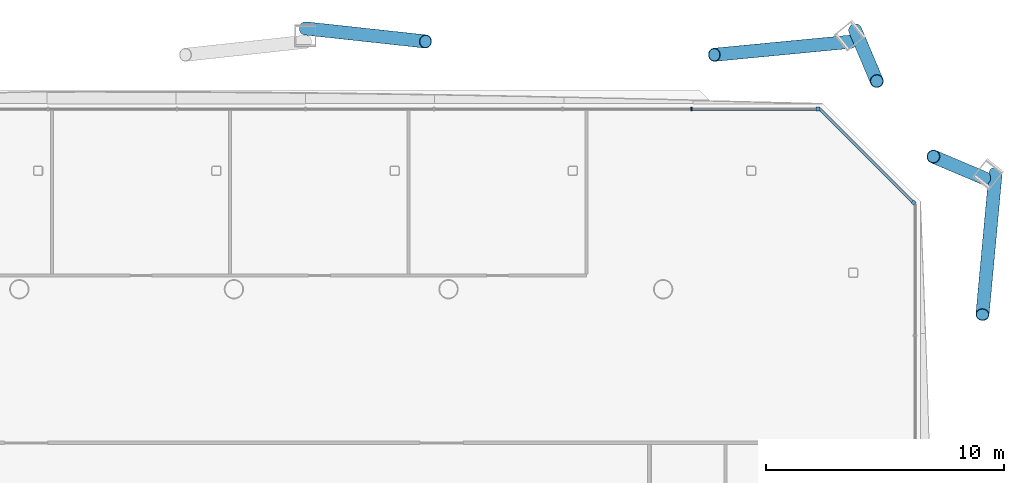
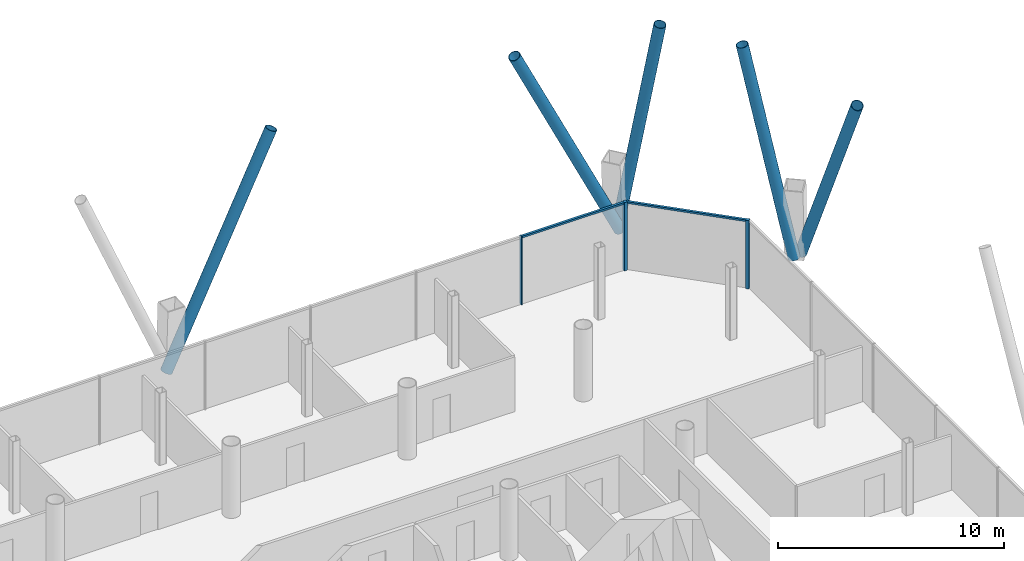
# One storey, part 11 of 23: 10 members, 2 elements without a shape of their own.
"""IFC4 building model written with IfcOpenShell, lengths in metres."""

from ifc_helpers import new_model, si_unit, direction, frame, origin, origin_2d, place, context, subcontext, project, spatial, rectangle, hollow_circle, extrude, material, material_profile, profile_set, type_object, element, aggregate, save


model = new_model("IFC4")

# Units and contexts
model_context = context("Model", 3, precision=1e-05, world=origin(), true_north=direction((0.0, 1.0)))
body_context = subcontext(model_context, "Body", "Model", "MODEL_VIEW")
ifc_project = project(units=[si_unit("LENGTHUNIT", "METRE"), si_unit("AREAUNIT", "SQUARE_METRE"), si_unit("VOLUMEUNIT", "CUBIC_METRE"), si_unit("PLANEANGLEUNIT", "RADIAN"), si_unit("MASSUNIT", "GRAM", prefix="KILO")], contexts=[model_context])

# Site, building, storey
site_placement = place(None, origin())
site = spatial("IfcSite", under=ifc_project, at=site_placement, CompositionType="ELEMENT")
building_placement = place(site_placement, origin())
building = spatial("IfcBuilding", under=site, at=building_placement, Name="Tskaro Facet Tower", CompositionType="ELEMENT")
storey_placement = place(building_placement, frame((0.0, 0.0, 62.10009765625)))
storey = spatial("IfcBuildingStorey", under=building, at=storey_placement, Name="L14", CompositionType="ELEMENT", Elevation=62.10009765625)

# Members
ifc_material_1 = material(Name="Steel S355J2H", Category="steel")
ifc_material_profile_1 = material_profile(ifc_material_1, hollow_circle(Radius=0.279541015625, WallThickness=0.02490234375, at=origin_2d()), Name="CHS 559x25")
ifc_profile_set_1 = profile_set([ifc_material_profile_1], Name="Steel S355J2H")
member_type_1 = type_object("IfcMemberType", Name="CHS 559x25 brace", PredefinedType="BRACE", material=ifc_profile_set_1)
member_1_placement = place(storey_placement, frame((31.9384765625, 22.85888671875, 0.0), z_axis=(-0.041757808458, -0.451319137832, 0.891385057794), x_axis=(0.995746950943, -0.092130395024, 0.0)))
element("IfcMember", 1, at=member_1_placement, inside=storey, type_object=member_type_1, Name="CHS 559x25 XB05B/2", PredefinedType="BRACE", context=body_context, shape_type="SweptSolid", body=[
    extrude(hollow_circle(Radius=0.279541015625, WallThickness=0.02490234375, at=origin_2d()), origin(), (0.0, 0.0, 1.0), 13.12548828125),
])
for number, where, z_axis, x_axis, name in (
    (2, (31.46142578125, 22.661376953125, 0.0), (-0.178565725619, 0.075639155813, 0.981016309621), (-0.390042854947, -0.920796704656, 0.0), "CHS 559x25 XB06A/2"),
    (3, (26.056640625, 28.856689453125, 0.0), (0.075639155813, -0.178565725619, 0.981016309621), (0.920796704656, 0.390042854947, 0.0), "CHS 559x25 XB06B/2"),
):
    element("IfcMember", number, at=place(storey_placement, frame(where, z_axis=z_axis, x_axis=x_axis)), inside=storey, type_object=member_type_1, Name=name, PredefinedType="BRACE", context=body_context, shape_type="SweptSolid", body=[
        extrude(hollow_circle(Radius=0.279541015625, WallThickness=0.02490234375, at=origin_2d()), origin(), (0.0, 0.0, 1.0), 11.92626953125),
    ])
member_2_placement = place(storey_placement, frame((25.85888671875, 28.37939453125, 0.0), z_axis=(-0.438488892117, -0.042037385137, 0.897752944713), x_axis=(0.095431214761, -0.995436026698, 0.0)))
element("IfcMember", 4, at=member_2_placement, inside=storey, type_object=member_type_1, Name="CHS 559x25 XB07A/2", PredefinedType="BRACE", context=body_context, shape_type="SweptSolid", body=[
    extrude(hollow_circle(Radius=0.279541015625, WallThickness=0.02490234375, at=origin_2d()), origin(), (0.0, 0.0, 1.0), 13.032470703125),
])
member_3_placement = place(storey_placement, frame((3.0, 28.9384765625, 0.0), z_axis=(0.394939039731, -0.042990600475, 0.917700911609), x_axis=(0.108214526009, 0.994127565436, 0.0)))
element("IfcMember", 5, at=member_3_placement, inside=storey, type_object=member_type_1, Name="CHS 559x25 XB07B/2", PredefinedType="BRACE", context=body_context, shape_type="SweptSolid", body=[
    extrude(hollow_circle(Radius=0.279541015625, WallThickness=0.02490234375, at=origin_2d()), origin(), (0.0, 0.0, 1.0), 12.749267578125),
])

# Curtain wall, member
ifc_material_2 = material(Name="Bronze anodised aluminium 6063-T6", Category="aluminium")
curtain_wall_type = type_object("IfcCurtainWallType", Name="Bronze office curtain wall (FW1)", PredefinedType="NOTDEFINED", material=ifc_material_2)
curtain_wall_1_placement = place(storey_placement, origin())
curtain_wall_1 = element("IfcCurtainWall", 6, at=curtain_wall_1_placement, inside=storey, type_object=curtain_wall_type, Name="FW1 north-east facet L14", PredefinedType="NOTDEFINED")
ifc_material_profile_2 = material_profile(ifc_material_2, rectangle(XDim=0.159912109375, YDim=0.159912109375, at=origin_2d()), Name="Corner post 160x160")
ifc_profile_set_2 = profile_set([ifc_material_profile_2], Name="Bronze anodised aluminium 6063-T6")
member_type_2 = type_object("IfcMemberType", Name="FW1 bronze corner post 160x160", PredefinedType="MULLION", material=ifc_profile_set_2)
member_4_placement = place(storey_placement, frame((28.50244140625, 21.630615234375, 0.0), z_axis=(0.0, 0.0, 1.0), x_axis=(-0.707106781187, 0.707106781187, 0.0)))
member_4 = element("IfcMember", 7, at=member_4_placement, type_object=member_type_2, Name="FW1 north-east corner post", PredefinedType="MULLION", context=body_context, shape_type="SweptSolid", body=[
    extrude(rectangle(XDim=0.159912109375, YDim=0.159912109375, at=origin_2d()), origin(), (0.0, 0.0, 1.0), 3.699951171875),
])

# Curtain wall, members
curtain_wall_2_placement = place(storey_placement, origin())
curtain_wall_2 = element("IfcCurtainWall", 8, at=curtain_wall_2_placement, inside=storey, type_object=curtain_wall_type, Name="FW1 north facet L14", PredefinedType="NOTDEFINED")
member_5_placement = place(storey_placement, frame((24.493896484375, 25.55908203125, 0.0), z_axis=(0.0, 0.0, 1.0), x_axis=(-1.0, 0.0, 0.0)))
member_5 = element("IfcMember", 9, at=member_5_placement, type_object=member_type_2, Name="FW1 north corner post", PredefinedType="MULLION", context=body_context, shape_type="SweptSolid", body=[
    extrude(rectangle(XDim=0.159912109375, YDim=0.159912109375, at=origin_2d()), origin(), (0.0, 0.0, 1.0), 3.699951171875),
])
ifc_material_profile_3 = material_profile(ifc_material_2, rectangle(XDim=0.06005859375, YDim=0.159912109375, at=origin_2d()), Name="Mullion 60x160")
ifc_profile_set_3 = profile_set([ifc_material_profile_3], Name="Bronze anodised aluminium 6063-T6")
member_type_3 = type_object("IfcMemberType", Name="FW1 bronze mullion 60x160", PredefinedType="MULLION", material=ifc_profile_set_3)
member_6_placement = place(storey_placement, frame((19.180419921875, 25.55908203125, 0.0), z_axis=(0.0, 0.0, 1.0), x_axis=(-1.0, 0.0, 0.0)))
member_6 = element("IfcMember", 10, at=member_6_placement, type_object=member_type_3, Name="FW1 north mullion 1", PredefinedType="MULLION", context=body_context, shape_type="SweptSolid", body=[
    extrude(rectangle(XDim=0.06005859375, YDim=0.159912109375, at=origin_2d()), origin(), (0.0, 0.0, 1.0), 3.699951171875),
])

# Member
ifc_material_profile_4 = material_profile(ifc_material_2, rectangle(XDim=0.1201171875, YDim=0.10009765625, at=origin_2d()), Name="Transom 120x100")
ifc_profile_set_4 = profile_set([ifc_material_profile_4], Name="Bronze anodised aluminium 6063-T6")
member_type_4 = type_object("IfcMemberType", Name="FW1 bronze transom 120x100", PredefinedType="USERDEFINED", material=ifc_profile_set_4)
member_7_placement = place(storey_placement, frame((28.44580078125, 21.687255859375, 3.64990234375), z_axis=(-0.707106781187, 0.707106781187, 0.0), x_axis=(-0.707106781187, -0.707106781187, 0.0)))
member_7 = element("IfcMember", 11, at=member_7_placement, type_object=member_type_4, Name="FW1 north-east transom 1.1", ObjectType="TRANSOM", PredefinedType="USERDEFINED", context=body_context, shape_type="SweptSolid", body=[
    extrude(rectangle(XDim=0.1201171875, YDim=0.10009765625, at=origin_2d()), origin(), (0.0, 0.0, 1.0), 5.4755859375),
])

aggregate(curtain_wall_1, [member_4, member_7])

member_8_placement = place(storey_placement, frame((24.4140625, 25.55908203125, 3.64990234375), z_axis=(-1.0, 0.0, 0.0), x_axis=(0.0, -1.0, 0.0)))
member_8 = element("IfcMember", 12, at=member_8_placement, type_object=member_type_4, Name="FW1 north transom 1.1", ObjectType="TRANSOM", PredefinedType="USERDEFINED", context=body_context, shape_type="SweptSolid", body=[
    extrude(rectangle(XDim=0.1201171875, YDim=0.10009765625, at=origin_2d()), origin(), (0.0, 0.0, 1.0), 5.20361328125),
])

aggregate(curtain_wall_2, [member_5, member_6, member_8])

save(model, "model.ifc")
